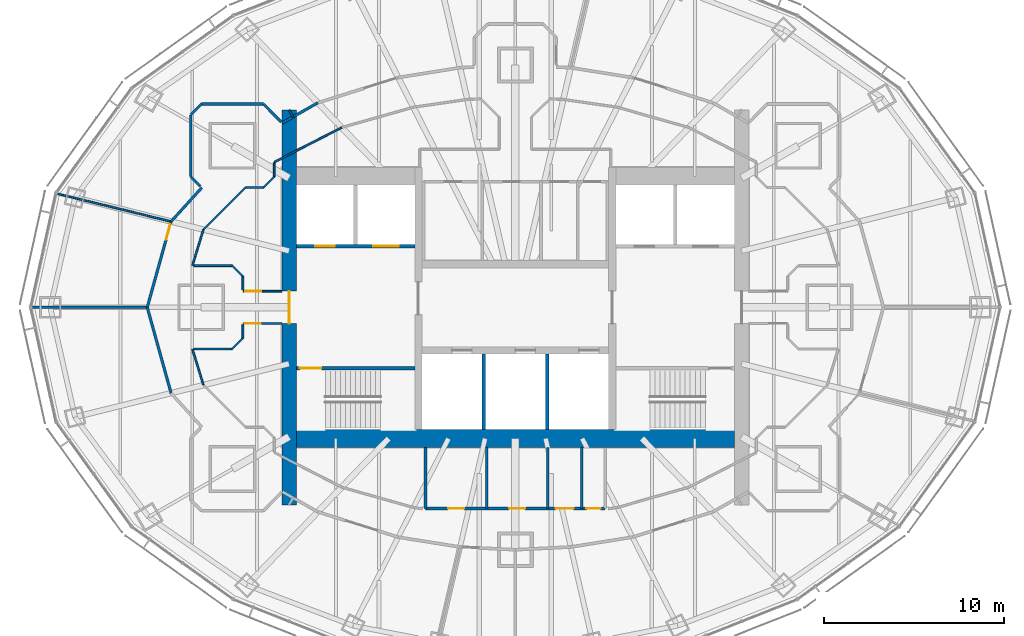
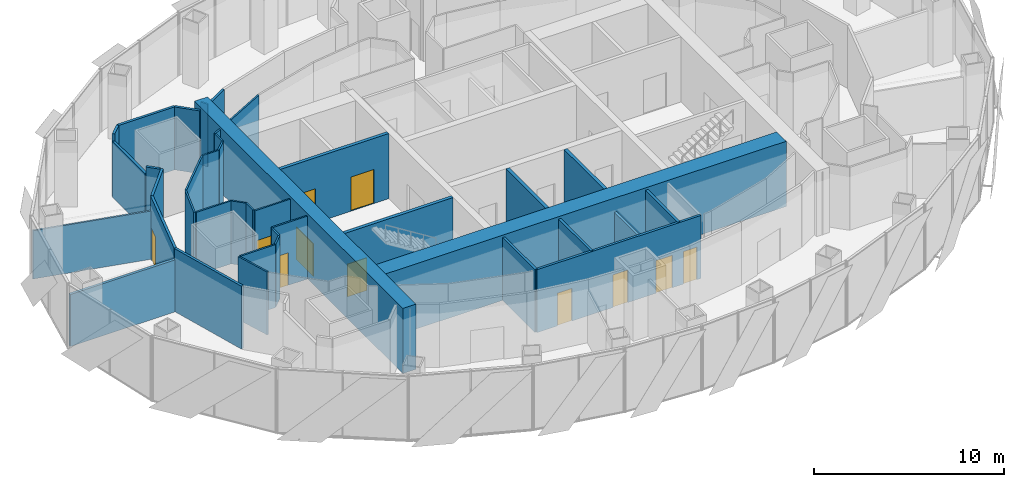
# One storey, part 12 of 18: 38 walls, 11 doors, 11 openings.
"""IFC4 building model written with IfcOpenShell, lengths in metres."""

from ifc_helpers import new_model, si_unit, direction, frame, frame_2d, origin, place, context, subcontext, project, spatial, rectangle, extrude, material, layer, layer_set, type_object, element, fill, save


model = new_model("IFC4")

# Units and contexts
model_context = context("Model", 3, precision=1e-05, world=origin(), true_north=direction((0.0, 1.0)))
body_context = subcontext(model_context, "Body", "Model", "MODEL_VIEW")
ifc_project = project(units=[si_unit("LENGTHUNIT", "METRE"), si_unit("AREAUNIT", "SQUARE_METRE"), si_unit("VOLUMEUNIT", "CUBIC_METRE"), si_unit("PLANEANGLEUNIT", "RADIAN"), si_unit("MASSUNIT", "GRAM", prefix="KILO")], contexts=[model_context])

# Site, building, storey
site_placement = place(None, origin())
site = spatial("IfcSite", under=ifc_project, at=site_placement, CompositionType="ELEMENT")
building_placement = place(site_placement, origin())
building = spatial("IfcBuilding", under=site, at=building_placement, Name="Lantaw Convention Tower", CompositionType="ELEMENT")
storey_placement = place(building_placement, frame((0.0, 0.0, 257.800048828125)))
storey = spatial("IfcBuildingStorey", under=building, at=storey_placement, Name="L60", CompositionType="ELEMENT", Elevation=257.800048828125)

# Wall
ifc_material_1 = material(Name="Concrete C60/75", Category="concrete")
ifc_layer_1 = layer(ifc_material_1, 1.0)
ifc_layer_set_1 = layer_set([ifc_layer_1], Name="Core wall 1000")
wall_type_1 = type_object("IfcWallType", Name="Core wall 1000", PredefinedType="SHEAR", material=ifc_layer_set_1)
wall_1_placement = place(storey_placement, frame((-12.199951171875, -7.300048828125, 0.0), z_axis=(0.0, 0.0, 1.0), x_axis=(1.0, 0.0, 0.0)))
element("IfcWall", 1, at=wall_1_placement, inside=storey, type_object=wall_type_1, Name="Core wall S", PredefinedType="SHEAR", context=body_context, shape_type="SweptSolid", body=[
    extrude(rectangle(XDim=24.39990234375, YDim=1.0, at=frame_2d((12.199951171875, 0.0))), origin(), (0.0, 0.0, 1.0), 4.199951171875),
])

# Wall, opening, door
ifc_layer_2 = layer(ifc_material_1, 0.199951171875)
ifc_layer_set_2 = layer_set([ifc_layer_2], Name="Core wall 200")
wall_type_2 = type_object("IfcWallType", Name="Core wall 200", PredefinedType="SHEAR", material=ifc_layer_set_2)
wall_2_placement = place(storey_placement, frame((-5.60009765625, -3.39990234375, 0.0), z_axis=(0.0, 0.0, 1.0), x_axis=(-1.0, 0.0, 0.0)))
wall_2 = element("IfcWall", 2, at=wall_2_placement, inside=storey, type_object=wall_type_2, Name="Core wall WS", PredefinedType="SHEAR", context=body_context, shape_type="SweptSolid", body=[
    extrude(rectangle(XDim=6.599853515625, YDim=0.199951171875, at=frame_2d((3.2998046875, 0.0))), origin(), (0.0, 0.0, 1.0), 4.199951171875),
])
opening_1_placement = place(wall_2_placement, frame((5.199951171875, 0.0, 0.0)))
opening_1 = element("IfcOpeningElement", 3, at=opening_1_placement, cuts=wall_2, Name="Opening L60.04", PredefinedType="OPENING", context=body_context, shape_type="SweptSolid", body=[
    extrude(rectangle(XDim=1.199951171875, YDim=2.10009765625, at=frame_2d((0.60009765625, 1.050048828125))), frame((0.0, 0.10986328125, 0.0), z_axis=(0.0, -1.0, 0.0), x_axis=(1.0, 0.0, 0.0)), (0.0, 0.0, 1.0), 0.219970703125),
])
ifc_material_2 = material(Name="Steel, fire rated", Category="steel")
door_type_1 = type_object("IfcDoorType", Name="Stair door FD90", OperationType="SINGLE_SWING_RIGHT", PredefinedType="DOOR", material=ifc_material_2)
door_1_placement = place(opening_1_placement, origin())
door_1 = element("IfcDoor", 4, at=door_1_placement, inside=storey, type_object=door_type_1, Name="Exit stair door", OperationType="SINGLE_SWING_RIGHT", OverallHeight=2.10009765625, OverallWidth=1.199951171875, PredefinedType="DOOR", context=body_context, shape_type="SweptSolid", body=[
    extrude(rectangle(XDim=1.199951171875, YDim=2.10009765625, at=frame_2d((0.60009765625, 1.050048828125))), frame((0.0, 0.02490234375, 0.0), z_axis=(0.0, -1.0, 0.0), x_axis=(1.0, 0.0, 0.0)), (0.0, 0.0, 1.0), 0.050048828125),
])
fill(opening_1, door_1)

ifc_layer_3 = layer(ifc_material_1, 0.800048828125)
ifc_layer_set_3 = layer_set([ifc_layer_3], Name="Core wall 800")
wall_type_3 = type_object("IfcWallType", Name="Core wall 800", PredefinedType="SHEAR", material=ifc_layer_set_3)
wall_3_placement = place(storey_placement, frame((-12.60009765625, 11.0, 0.0), z_axis=(0.0, 0.0, 1.0), x_axis=(0.0, -1.0, 0.0)))
wall_3 = element("IfcWall", 5, at=wall_3_placement, inside=storey, type_object=wall_type_3, Name="Core wall W", PredefinedType="SHEAR", context=body_context, shape_type="SweptSolid", body=[
    extrude(rectangle(XDim=22.0, YDim=0.800048828125, at=frame_2d((11.0, 0.0))), origin(), (0.0, 0.0, 1.0), 4.199951171875),
])
opening_2_placement = place(wall_3_placement, frame((10.10009765625, 0.0, 0.0)))
opening_2 = element("IfcOpeningElement", 6, at=opening_2_placement, cuts=wall_3, Name="Opening L60.06", PredefinedType="OPENING", context=body_context, shape_type="SweptSolid", body=[
    extrude(rectangle(XDim=1.800048828125, YDim=2.10009765625, at=frame_2d((0.89990234375, 1.050048828125))), frame((0.0, 0.409912109375, 0.0), z_axis=(0.0, -1.0, 0.0), x_axis=(1.0, 0.0, 0.0)), (0.0, 0.0, 1.0), 0.820068359375),
])
door_type_2 = type_object("IfcDoorType", Name="Lobby double door FD90", OperationType="DOUBLE_DOOR_DOUBLE_SWING", PredefinedType="DOOR", material=ifc_material_2)
door_2_placement = place(opening_2_placement, origin())
door_2 = element("IfcDoor", 7, at=door_2_placement, inside=storey, type_object=door_type_2, Name="Firefighting lobby door", OperationType="DOUBLE_DOOR_DOUBLE_SWING", OverallHeight=2.10009765625, OverallWidth=1.800048828125, PredefinedType="DOOR", context=body_context, shape_type="SweptSolid", body=[
    extrude(rectangle(XDim=1.800048828125, YDim=2.10009765625, at=frame_2d((0.89990234375, 1.050048828125))), frame((0.0, 0.02490234375, 0.0), z_axis=(0.0, -1.0, 0.0), x_axis=(1.0, 0.0, 0.0)), (0.0, 0.0, 1.0), 0.050048828125),
])
fill(opening_2, door_2)

ifc_material_3 = material(Name="Gypsum board on steel studs, fire rated", Category="steel")
ifc_layer_4 = layer(ifc_material_3, 0.14990234375)
ifc_layer_set_4 = layer_set([ifc_layer_4], Name="Corridor wall 150 EI 60")
wall_type_4 = type_object("IfcWallType", Name="Corridor wall 150 EI 60", PredefinedType="PARTITIONING", material=ifc_layer_set_4)
wall_4_placement = place(storey_placement, frame((-19.171875, 4.780029296875, 0.0), z_axis=(0.0, 0.0, 1.0), x_axis=(-0.26770731566, -0.963500281859, 0.0)))
wall_4 = element("IfcWall", 8, at=wall_4_placement, inside=storey, type_object=wall_type_4, Name="Corridor wall 150", PredefinedType="PARTITIONING", context=body_context, shape_type="SweptSolid", body=[
    extrude(rectangle(XDim=4.961181640625, YDim=0.14990234375, at=frame_2d((2.48046875, 0.0))), origin(), (0.0, 0.0, 1.0), 4.050048828125),
])
opening_3_placement = place(wall_4_placement, frame((0.14990234375, 0.0, 0.0)))
opening_3 = element("IfcOpeningElement", 9, at=opening_3_placement, cuts=wall_4, Name="Opening L60.29", PredefinedType="OPENING", context=body_context, shape_type="SweptSolid", body=[
    extrude(rectangle(XDim=0.89990234375, YDim=2.10009765625, at=frame_2d((0.449951171875, 1.050048828125))), frame((0.0, 0.0849609375, 0.0), z_axis=(0.0, -1.0, 0.0), x_axis=(1.0, 0.0, 0.0)), (0.0, 0.0, 1.0), 0.169921875),
])
door_type_3 = type_object("IfcDoorType", Name="Office door 900 FD30", OperationType="SINGLE_SWING_LEFT", PredefinedType="DOOR", material=ifc_material_2)
door_3_placement = place(opening_3_placement, origin())
door_3 = element("IfcDoor", 10, at=door_3_placement, inside=storey, type_object=door_type_3, Name="Meeting room door", OperationType="SINGLE_SWING_LEFT", OverallHeight=2.10009765625, OverallWidth=0.89990234375, PredefinedType="DOOR", context=body_context, shape_type="SweptSolid", body=[
    extrude(rectangle(XDim=0.89990234375, YDim=2.10009765625, at=frame_2d((0.449951171875, 1.050048828125))), frame((0.0, 0.02490234375, 0.0), z_axis=(0.0, -1.0, 0.0), x_axis=(1.0, 0.0, 0.0)), (0.0, 0.0, 1.0), 0.050048828125),
])
fill(opening_3, door_3)

# Walls
wall_5_placement = place(storey_placement, frame((-20.5, 0.0, 0.0), z_axis=(0.0, 0.0, 1.0), x_axis=(0.26770731566, -0.963500281859, 0.0)))
element("IfcWall", 11, at=wall_5_placement, inside=storey, type_object=wall_type_4, Name="Corridor wall 150", PredefinedType="PARTITIONING", context=body_context, shape_type="SweptSolid", body=[
    extrude(rectangle(XDim=4.961181640625, YDim=0.14990234375, at=frame_2d((2.48046875, 0.0))), origin(), (0.0, 0.0, 1.0), 4.050048828125),
])
wall_6_placement = place(storey_placement, frame((-11.000732421875, 11.3916015625, 0.0), z_axis=(0.0, 0.0, 1.0), x_axis=(-0.869722107117, -0.493541747366, 0.0)))
element("IfcWall", 12, at=wall_6_placement, inside=storey, type_object=wall_type_4, Name="Corridor wall 150", PredefinedType="PARTITIONING", context=body_context, shape_type="SweptSolid", body=[
    extrude(rectangle(XDim=2.26953125, YDim=0.14990234375, at=frame_2d((1.134765625, 0.0))), origin(), (0.0, 0.0, 1.0), 4.050048828125),
])
wall_7_placement = place(storey_placement, frame((-17.462646484375, 6.6650390625, 0.0), z_axis=(0.0, 0.0, 1.0), x_axis=(-0.671721890643, -0.74080341632, 0.0)))
element("IfcWall", 13, at=wall_7_placement, inside=storey, type_object=wall_type_4, Name="Corridor wall 150", PredefinedType="PARTITIONING", context=body_context, shape_type="SweptSolid", body=[
    extrude(rectangle(XDim=2.54443359375, YDim=0.14990234375, at=frame_2d((1.272216796875, 0.0))), origin(), (0.0, 0.0, 1.0), 4.050048828125),
])
wall_8_placement = place(storey_placement, frame((-18.074951171875, 10.724609375, 0.0), z_axis=(0.0, 0.0, 1.0), x_axis=(0.707106781187, 0.707106781187, 0.0)))
element("IfcWall", 14, at=wall_8_placement, inside=storey, type_object=wall_type_4, Name="Corridor wall 150", PredefinedType="PARTITIONING", context=body_context, shape_type="SweptSolid", body=[
    extrude(rectangle(XDim=0.84912109375, YDim=0.14990234375, at=frame_2d((0.424560546875, 0.0))), origin(), (0.0, 0.0, 1.0), 4.050048828125),
])
wall_9_placement = place(storey_placement, frame((-17.474609375, 11.324951171875, 0.0), z_axis=(0.0, 0.0, 1.0), x_axis=(1.0, 0.0, 0.0)))
element("IfcWall", 15, at=wall_9_placement, inside=storey, type_object=wall_type_4, Name="Corridor wall 150", PredefinedType="PARTITIONING", context=body_context, shape_type="SweptSolid", body=[
    extrude(rectangle(XDim=3.44921875, YDim=0.14990234375, at=frame_2d((1.724609375, 0.0))), origin(), (0.0, 0.0, 1.0), 4.050048828125),
])
wall_10_placement = place(storey_placement, frame((-14.025390625, 11.324951171875, 0.0), z_axis=(0.0, 0.0, 1.0), x_axis=(0.701113567316, -0.713049623606, 0.0)))
element("IfcWall", 16, at=wall_10_placement, inside=storey, type_object=wall_type_4, Name="Corridor wall 150", PredefinedType="PARTITIONING", context=body_context, shape_type="SweptSolid", body=[
    extrude(rectangle(XDim=1.411376953125, YDim=0.14990234375, at=frame_2d((0.70556640625, 0.0))), origin(), (0.0, 0.0, 1.0), 4.050048828125),
])
wall_11_placement = place(storey_placement, frame((-17.537841796875, 6.73828125, 0.0), z_axis=(0.0, 0.0, 1.0), x_axis=(-0.707106781187, 0.707106781187, 0.0)))
element("IfcWall", 17, at=wall_11_placement, inside=storey, type_object=wall_type_4, Name="Corridor wall 150", PredefinedType="PARTITIONING", context=body_context, shape_type="SweptSolid", body=[
    extrude(rectangle(XDim=0.759521484375, YDim=0.14990234375, at=frame_2d((0.3798828125, 0.0))), origin(), (0.0, 0.0, 1.0), 4.050048828125),
])
wall_12_placement = place(storey_placement, frame((-18.074951171875, 7.275390625, 0.0), z_axis=(0.0, 0.0, 1.0), x_axis=(0.0, 1.0, 0.0)))
element("IfcWall", 18, at=wall_12_placement, inside=storey, type_object=wall_type_4, Name="Corridor wall 150", PredefinedType="PARTITIONING", context=body_context, shape_type="SweptSolid", body=[
    extrude(rectangle(XDim=3.44921875, YDim=0.14990234375, at=frame_2d((1.724609375, 0.0))), origin(), (0.0, 0.0, 1.0), 3.600341796875),
])
ifc_material_4 = material(Name="Gypsum board on steel studs, acoustic", Category="steel")
ifc_layer_5 = layer(ifc_material_4, 0.10009765625)
ifc_layer_set_5 = layer_set([ifc_layer_5], Name="Office partition 100")
wall_type_5 = type_object("IfcWallType", Name="Office partition 100", PredefinedType="PARTITIONING", material=ifc_layer_set_5)
wall_13_placement = place(storey_placement, frame((-25.54296875, 6.33544921875, 0.0), z_axis=(0.0, 0.0, 1.0), x_axis=(0.971467850621, -0.237171278215, 0.0)))
element("IfcWall", 19, at=wall_13_placement, inside=storey, type_object=wall_type_5, Name="Office partition 100", PredefinedType="PARTITIONING", context=body_context, shape_type="SweptSolid", body=[
    extrude(rectangle(XDim=6.55810546875, YDim=0.10009765625, at=frame_2d((3.279052734375, 0.0))), origin(), (0.0, 0.0, 1.0), 3.107666015625),
])
wall_14_placement = place(storey_placement, frame((-12.60009765625, 11.0, 0.0), z_axis=(0.0, 0.0, 1.0), x_axis=(0.493794495037, -0.869578631678, 0.0)))
element("IfcWall", 20, at=wall_14_placement, inside=storey, type_object=wall_type_5, Name="Office partition 100", PredefinedType="PARTITIONING", context=body_context, shape_type="SweptSolid", body=[
    extrude(rectangle(XDim=0.448974609375, YDim=0.10009765625, at=frame_2d((0.224609375, 0.0))), origin(), (0.0, 0.0, 1.0), 4.050048828125),
])
wall_15_placement = place(storey_placement, frame((-17.37158203125, -4.331298828125, 0.0), z_axis=(0.0, 0.0, 1.0), x_axis=(-0.293231279211, 0.956041535129, 0.0)))
element("IfcWall", 21, at=wall_15_placement, inside=storey, type_object=wall_type_5, Name="Office partition 100", PredefinedType="PARTITIONING", context=body_context, shape_type="SweptSolid", body=[
    extrude(rectangle(XDim=2.088134765625, YDim=0.10009765625, at=frame_2d((1.0439453125, 0.0))), origin(), (0.0, 0.0, 1.0), 4.050048828125),
])

# Wall, opening, door
wall_16_placement = place(storey_placement, frame((-15.1650390625, -0.89990234375, 0.0), z_axis=(0.0, 0.0, 1.0), x_axis=(1.0, 0.0, 0.0)))
wall_16 = element("IfcWall", 22, at=wall_16_placement, inside=storey, type_object=wall_type_5, Name="Office partition 100", PredefinedType="PARTITIONING", context=body_context, shape_type="SweptSolid", body=[
    extrude(rectangle(XDim=2.1650390625, YDim=0.10009765625, at=frame_2d((1.08251953125, 0.0))), origin(), (0.0, 0.0, 1.0), 4.050048828125),
])
opening_4_placement = place(wall_16_placement, frame((0.10009765625, 0.0, 0.0)))
opening_4 = element("IfcOpeningElement", 23, at=opening_4_placement, cuts=wall_16, Name="Opening L60.22", PredefinedType="OPENING", context=body_context, shape_type="SweptSolid", body=[
    extrude(rectangle(XDim=0.89990234375, YDim=2.10009765625, at=frame_2d((0.449951171875, 1.050048828125))), frame((0.0, 0.06005859375, 0.0), z_axis=(0.0, -1.0, 0.0), x_axis=(1.0, 0.0, 0.0)), (0.0, 0.0, 1.0), 0.1201171875),
])
ifc_material_5 = material(Name="Timber", Category="wood")
door_type_4 = type_object("IfcDoorType", Name="Office door 900", OperationType="SINGLE_SWING_LEFT", PredefinedType="DOOR", material=ifc_material_5)
door_4_placement = place(opening_4_placement, origin())
door_4 = element("IfcDoor", 24, at=door_4_placement, inside=storey, type_object=door_type_4, Name="Meeting room door", OperationType="SINGLE_SWING_LEFT", OverallHeight=2.10009765625, OverallWidth=0.89990234375, PredefinedType="DOOR", context=body_context, shape_type="SweptSolid", body=[
    extrude(rectangle(XDim=0.89990234375, YDim=2.10009765625, at=frame_2d((0.449951171875, 1.050048828125))), frame((0.0, 0.02490234375, 0.0), z_axis=(0.0, -1.0, 0.0), x_axis=(1.0, 0.0, 0.0)), (0.0, 0.0, 1.0), 0.050048828125),
])
fill(opening_4, door_4)

wall_17_placement = place(storey_placement, frame((-13.0, 0.89990234375, 0.0), z_axis=(0.0, 0.0, 1.0), x_axis=(-1.0, 0.0, 0.0)))
wall_17 = element("IfcWall", 25, at=wall_17_placement, inside=storey, type_object=wall_type_5, Name="Office partition 100", PredefinedType="PARTITIONING", context=body_context, shape_type="SweptSolid", body=[
    extrude(rectangle(XDim=2.1650390625, YDim=0.10009765625, at=frame_2d((1.08251953125, 0.0))), origin(), (0.0, 0.0, 1.0), 4.050048828125),
])
opening_5_placement = place(wall_17_placement, frame((1.14990234375, 0.0, 0.0)))
opening_5 = element("IfcOpeningElement", 26, at=opening_5_placement, cuts=wall_17, Name="Opening L60.25", PredefinedType="OPENING", context=body_context, shape_type="SweptSolid", body=[
    extrude(rectangle(XDim=0.89990234375, YDim=2.10009765625, at=frame_2d((0.449951171875, 1.050048828125))), frame((0.0, 0.06005859375, 0.0), z_axis=(0.0, -1.0, 0.0), x_axis=(1.0, 0.0, 0.0)), (0.0, 0.0, 1.0), 0.1201171875),
])
door_5_placement = place(opening_5_placement, origin())
door_5 = element("IfcDoor", 27, at=door_5_placement, inside=storey, type_object=door_type_4, Name="Meeting room door", OperationType="SINGLE_SWING_LEFT", OverallHeight=2.10009765625, OverallWidth=0.89990234375, PredefinedType="DOOR", context=body_context, shape_type="SweptSolid", body=[
    extrude(rectangle(XDim=0.89990234375, YDim=2.10009765625, at=frame_2d((0.449951171875, 1.050048828125))), frame((0.0, 0.02490234375, 0.0), z_axis=(0.0, -1.0, 0.0), x_axis=(1.0, 0.0, 0.0)), (0.0, 0.0, 1.0), 0.050048828125),
])
fill(opening_5, door_5)

# Walls
wall_18_placement = place(storey_placement, frame((-17.98388671875, 2.3349609375, 0.0), z_axis=(0.0, 0.0, 1.0), x_axis=(0.293231279211, 0.956041535129, 0.0)))
element("IfcWall", 28, at=wall_18_placement, inside=storey, type_object=wall_type_5, Name="Office partition 100", PredefinedType="PARTITIONING", context=body_context, shape_type="SweptSolid", body=[
    extrude(rectangle(XDim=2.088134765625, YDim=0.10009765625, at=frame_2d((1.0439453125, 0.0))), origin(), (0.0, 0.0, 1.0), 4.050048828125),
])
wall_19_placement = place(storey_placement, frame((-15.175048828125, -0.978271484375, 0.0), z_axis=(0.0, 0.0, 1.0), x_axis=(0.0, -1.0, 0.0)))
element("IfcWall", 29, at=wall_19_placement, inside=storey, type_object=wall_type_5, Name="Office partition 100", PredefinedType="PARTITIONING", context=body_context, shape_type="SweptSolid", body=[
    extrude(rectangle(XDim=0.746337890625, YDim=0.10009765625, at=frame_2d((0.373046875, 0.0))), origin(), (0.0, 0.0, 1.0), 4.050048828125),
])
wall_20_placement = place(storey_placement, frame((-15.175048828125, -1.724609375, 0.0), z_axis=(0.0, 0.0, 1.0), x_axis=(-0.707106781187, -0.707106781187, 0.0)))
element("IfcWall", 30, at=wall_20_placement, inside=storey, type_object=wall_type_5, Name="Office partition 100", PredefinedType="PARTITIONING", context=body_context, shape_type="SweptSolid", body=[
    extrude(rectangle(XDim=0.84912109375, YDim=0.10009765625, at=frame_2d((0.424560546875, 0.0))), origin(), (0.0, 0.0, 1.0), 4.050048828125),
])
for number, where, z_axis, x_axis, name in (
    (31, (-15.775390625, -2.324951171875, 0.0), (0.0, 0.0, 1.0), (-1.0, 0.0, 0.0), "Office partition 100"),
    (32, (-17.903076171875, 2.324951171875, 0.0), (0.0, 0.0, 1.0), (1.0, 0.0, 0.0), "Office partition 100"),
):
    element("IfcWall", number, at=place(storey_placement, frame(where, z_axis=z_axis, x_axis=x_axis)), inside=storey, type_object=wall_type_5, Name=name, PredefinedType="PARTITIONING", context=body_context, shape_type="SweptSolid", body=[
        extrude(rectangle(XDim=2.127685546875, YDim=0.10009765625, at=frame_2d((1.06396484375, 0.0))), origin(), (0.0, 0.0, 1.0), 4.050048828125),
    ])
wall_21_placement = place(storey_placement, frame((-15.775390625, 2.324951171875, 0.0), z_axis=(0.0, 0.0, 1.0), x_axis=(0.707106781187, -0.707106781187, 0.0)))
element("IfcWall", 33, at=wall_21_placement, inside=storey, type_object=wall_type_5, Name="Office partition 100", PredefinedType="PARTITIONING", context=body_context, shape_type="SweptSolid", body=[
    extrude(rectangle(XDim=0.84912109375, YDim=0.10009765625, at=frame_2d((0.424560546875, 0.0))), origin(), (0.0, 0.0, 1.0), 4.050048828125),
])
wall_22_placement = place(storey_placement, frame((-15.175048828125, 1.724609375, 0.0), z_axis=(0.0, 0.0, 1.0), x_axis=(0.0, -1.0, 0.0)))
element("IfcWall", 34, at=wall_22_placement, inside=storey, type_object=wall_type_5, Name="Office partition 100", PredefinedType="PARTITIONING", context=body_context, shape_type="SweptSolid", body=[
    extrude(rectangle(XDim=0.746337890625, YDim=0.10009765625, at=frame_2d((0.373046875, 0.0))), origin(), (0.0, 0.0, 1.0), 4.050048828125),
])
wall_23_placement = place(storey_placement, frame((-17.37158203125, 4.331298828125, 0.0), z_axis=(0.0, 0.0, 1.0), x_axis=(0.707587114823, 0.70662612104, 0.0)))
element("IfcWall", 35, at=wall_23_placement, inside=storey, type_object=wall_type_5, Name="Office partition 100", PredefinedType="PARTITIONING", context=body_context, shape_type="SweptSolid", body=[
    extrude(rectangle(XDim=3.302734375, YDim=0.10009765625, at=frame_2d((1.6513671875, 0.0))), origin(), (0.0, 0.0, 1.0), 4.050048828125),
])
wall_24_placement = place(storey_placement, frame((-13.4150390625, 8.091796875, 0.0), z_axis=(0.0, 0.0, 1.0), x_axis=(0.889620520549, 0.45670048108, 0.0)))
element("IfcWall", 36, at=wall_24_placement, inside=storey, type_object=wall_type_5, Name="Office partition 100", PredefinedType="PARTITIONING", context=body_context, shape_type="SweptSolid", body=[
    extrude(rectangle(XDim=4.209228515625, YDim=0.10009765625, at=frame_2d((2.1044921875, 0.0))), origin(), (0.0, 0.0, 1.0), 4.050048828125),
])
wall_25_placement = place(storey_placement, frame((-13.425048828125, 8.045654296875, 0.0), z_axis=(0.0, 0.0, 1.0), x_axis=(0.0, -1.0, 0.0)))
element("IfcWall", 37, at=wall_25_placement, inside=storey, type_object=wall_type_5, Name="Office partition 100", PredefinedType="PARTITIONING", context=body_context, shape_type="SweptSolid", body=[
    extrude(rectangle(XDim=0.770263671875, YDim=0.10009765625, at=frame_2d((0.38525390625, 0.0))), origin(), (0.0, 0.0, 1.0), 4.050048828125),
])
wall_26_placement = place(storey_placement, frame((-13.425048828125, 7.275390625, 0.0), z_axis=(0.0, 0.0, 1.0), x_axis=(-0.707106781187, -0.707106781187, 0.0)))
element("IfcWall", 38, at=wall_26_placement, inside=storey, type_object=wall_type_5, Name="Office partition 100", PredefinedType="PARTITIONING", context=body_context, shape_type="SweptSolid", body=[
    extrude(rectangle(XDim=0.84912109375, YDim=0.10009765625, at=frame_2d((0.424560546875, 0.0))), origin(), (0.0, 0.0, 1.0), 4.050048828125),
])
wall_27_placement = place(storey_placement, frame((-14.025390625, 6.675048828125, 0.0), z_axis=(0.0, 0.0, 1.0), x_axis=(-1.0, 0.0, 0.0)))
element("IfcWall", 39, at=wall_27_placement, inside=storey, type_object=wall_type_5, Name="Office partition 100", PredefinedType="PARTITIONING", context=body_context, shape_type="SweptSolid", body=[
    extrude(rectangle(XDim=0.976806640625, YDim=0.10009765625, at=frame_2d((0.48828125, 0.0))), origin(), (0.0, 0.0, 1.0), 4.050048828125),
])

# Wall, openings, doors
ifc_material_6 = material(Name="Concrete blockwork, fire rated", Category="masonry")
ifc_layer_6 = layer(ifc_material_6, 0.199951171875)
ifc_layer_set_6 = layer_set([ifc_layer_6], Name="Shaft wall 200")
wall_type_6 = type_object("IfcWallType", Name="Shaft wall 200", PredefinedType="SOLIDWALL", material=ifc_layer_set_6)
wall_28_placement = place(storey_placement, frame((-12.199951171875, 3.39990234375, 0.0), z_axis=(0.0, 0.0, 1.0), x_axis=(1.0, 0.0, 0.0)))
wall_28 = element("IfcWall", 40, at=wall_28_placement, inside=storey, type_object=wall_type_6, Name="Shaft wall WN", PredefinedType="SOLIDWALL", context=body_context, shape_type="SweptSolid", body=[
    extrude(rectangle(XDim=6.599853515625, YDim=0.199951171875, at=frame_2d((3.2998046875, 0.0))), origin(), (0.0, 0.0, 1.0), 4.199951171875),
])
opening_6_placement = place(wall_28_placement, frame((1.050048828125, 0.0, 0.0)))
opening_6 = element("IfcOpeningElement", 41, at=opening_6_placement, cuts=wall_28, Name="Opening L60.10", PredefinedType="OPENING", context=body_context, shape_type="SweptSolid", body=[
    extrude(rectangle(XDim=1.10009765625, YDim=2.199951171875, at=frame_2d((0.550048828125, 1.10009765625))), frame((0.0, 0.10986328125, 0.0), z_axis=(0.0, -1.0, 0.0), x_axis=(1.0, 0.0, 0.0)), (0.0, 0.0, 1.0), 0.219970703125),
])
opening_7_placement = place(wall_28_placement, frame((4.300048828125, 0.0, 0.0)))
opening_7 = element("IfcOpeningElement", 42, at=opening_7_placement, cuts=wall_28, Name="Opening L60.11", PredefinedType="OPENING", context=body_context, shape_type="SweptSolid", body=[
    extrude(rectangle(XDim=1.39990234375, YDim=2.199951171875, at=frame_2d((0.699951171875, 1.10009765625))), frame((0.0, 0.10986328125, 0.0), z_axis=(0.0, -1.0, 0.0), x_axis=(1.0, 0.0, 0.0)), (0.0, 0.0, 1.0), 0.219970703125),
])
ifc_material_7 = material(Name="Stainless steel", Category="steel")
door_type_5 = type_object("IfcDoorType", Name="Lift landing door 1100", OperationType="DOUBLE_DOOR_SLIDING", PredefinedType="DOOR", material=ifc_material_7)
door_6_placement = place(opening_6_placement, origin())
door_6 = element("IfcDoor", 43, at=door_6_placement, inside=storey, type_object=door_type_5, Name="Lift landing door FF1", OperationType="DOUBLE_DOOR_SLIDING", OverallHeight=2.199951171875, OverallWidth=1.10009765625, PredefinedType="DOOR", context=body_context, shape_type="SweptSolid", body=[
    extrude(rectangle(XDim=1.10009765625, YDim=2.199951171875, at=frame_2d((0.550048828125, 1.10009765625))), frame((0.0, 0.02490234375, 0.0), z_axis=(0.0, -1.0, 0.0), x_axis=(1.0, 0.0, 0.0)), (0.0, 0.0, 1.0), 0.050048828125),
])
fill(opening_6, door_6)
door_type_6 = type_object("IfcDoorType", Name="Lift landing door 1400", OperationType="DOUBLE_DOOR_SLIDING", PredefinedType="DOOR", material=ifc_material_7)
door_7_placement = place(opening_7_placement, origin())
door_7 = element("IfcDoor", 44, at=door_7_placement, inside=storey, type_object=door_type_6, Name="Lift landing door SV1", OperationType="DOUBLE_DOOR_SLIDING", OverallHeight=2.199951171875, OverallWidth=1.39990234375, PredefinedType="DOOR", context=body_context, shape_type="SweptSolid", body=[
    extrude(rectangle(XDim=1.39990234375, YDim=2.199951171875, at=frame_2d((0.699951171875, 1.10009765625))), frame((0.0, 0.02490234375, 0.0), z_axis=(0.0, -1.0, 0.0), x_axis=(1.0, 0.0, 0.0)), (0.0, 0.0, 1.0), 0.050048828125),
])
fill(opening_7, door_7)

# Walls
ifc_layer_7 = layer(ifc_material_6, 0.199951171875)
ifc_layer_set_7 = layer_set([ifc_layer_7], Name="Shaft wall 200 load-bearing")
wall_type_7 = type_object("IfcWallType", Name="Shaft wall 200 load-bearing", PredefinedType="SOLIDWALL", material=ifc_layer_set_7)
for number, where, z_axis, x_axis, name in (
    (45, (-1.7666015625, -2.60009765625, 0.0), (0.0, 0.0, 1.0), (0.0, -1.0, 0.0), "Shaft wall DS1"),
    (46, (1.7666015625, -2.60009765625, 0.0), (0.0, 0.0, 1.0), (0.0, -1.0, 0.0), "Shaft wall DS2"),
):
    element("IfcWall", number, at=place(storey_placement, frame(where, z_axis=z_axis, x_axis=x_axis)), inside=storey, type_object=wall_type_7, Name=name, PredefinedType="SOLIDWALL", context=body_context, shape_type="SweptSolid", body=[
        extrude(rectangle(XDim=4.199951171875, YDim=0.199951171875, at=frame_2d((2.10009765625, 0.0))), origin(), (0.0, 0.0, 1.0), 4.199951171875),
    ])
ifc_layer_8 = layer(ifc_material_3, 0.14990234375)
ifc_layer_set_8 = layer_set([ifc_layer_8], Name="Tenant separation wall 150 EI 60")
wall_type_8 = type_object("IfcWallType", Name="Tenant separation wall 150 EI 60", PredefinedType="PARTITIONING", material=ifc_layer_set_8)
wall_29_placement = place(storey_placement, frame((-26.944091796875, 0.0, 0.0), z_axis=(0.0, 0.0, 1.0), x_axis=(1.0, 0.0, 0.0)))
element("IfcWall", 47, at=wall_29_placement, inside=storey, type_object=wall_type_8, Name="Tenant separation wall 150", PredefinedType="PARTITIONING", context=body_context, shape_type="SweptSolid", body=[
    extrude(rectangle(XDim=6.444091796875, YDim=0.14990234375, at=frame_2d((3.22216796875, 0.0))), origin(), (0.0, 0.0, 1.0), 3.348876953125),
])

# Wall, openings, doors
ifc_material_8 = material(Name="Concrete blockwork", Category="masonry")
ifc_layer_9 = layer(ifc_material_8, 0.14990234375)
ifc_layer_set_9 = layer_set([ifc_layer_9], Name="WC wall 150")
wall_type_9 = type_object("IfcWallType", Name="WC wall 150", PredefinedType="SOLIDWALL", material=ifc_layer_set_9)
wall_30_placement = place(storey_placement, frame((-5.0, -11.199951171875, 0.0), z_axis=(0.0, 0.0, 1.0), x_axis=(1.0, 0.0, 0.0)))
wall_30 = element("IfcWall", 48, at=wall_30_placement, inside=storey, type_object=wall_type_9, Name="WC wall 150", PredefinedType="SOLIDWALL", context=body_context, shape_type="SweptSolid", body=[
    extrude(rectangle(XDim=10.0, YDim=0.14990234375, at=frame_2d((5.0, 0.0))), origin(), (0.0, 0.0, 1.0), 4.050048828125),
])
opening_8_placement = place(wall_30_placement, frame((1.25, 0.0, 0.0)))
opening_8 = element("IfcOpeningElement", 49, at=opening_8_placement, cuts=wall_30, Name="Opening L60.18", PredefinedType="OPENING", context=body_context, shape_type="SweptSolid", body=[
    extrude(rectangle(XDim=0.89990234375, YDim=2.10009765625, at=frame_2d((0.449951171875, 1.050048828125))), frame((0.0, 0.0849609375, 0.0), z_axis=(0.0, -1.0, 0.0), x_axis=(1.0, 0.0, 0.0)), (0.0, 0.0, 1.0), 0.169921875),
])
opening_9_placement = place(wall_30_placement, frame((4.64990234375, 0.0, 0.0)))
opening_9 = element("IfcOpeningElement", 50, at=opening_9_placement, cuts=wall_30, Name="Opening L60.19", PredefinedType="OPENING", context=body_context, shape_type="SweptSolid", body=[
    extrude(rectangle(XDim=0.89990234375, YDim=2.10009765625, at=frame_2d((0.449951171875, 1.050048828125))), frame((0.0, 0.0849609375, 0.0), z_axis=(0.0, -1.0, 0.0), x_axis=(1.0, 0.0, 0.0)), (0.0, 0.0, 1.0), 0.169921875),
])
opening_10_placement = place(wall_30_placement, frame((7.25, 0.0, 0.0)))
opening_10 = element("IfcOpeningElement", 51, at=opening_10_placement, cuts=wall_30, Name="Opening L60.20", PredefinedType="OPENING", context=body_context, shape_type="SweptSolid", body=[
    extrude(rectangle(XDim=1.0, YDim=2.10009765625, at=frame_2d((0.5, 1.050048828125))), frame((0.0, 0.0849609375, 0.0), z_axis=(0.0, -1.0, 0.0), x_axis=(1.0, 0.0, 0.0)), (0.0, 0.0, 1.0), 0.169921875),
])
opening_11_placement = place(wall_30_placement, frame((8.949951171875, 0.0, 0.0)))
opening_11 = element("IfcOpeningElement", 52, at=opening_11_placement, cuts=wall_30, Name="Opening L60.21", PredefinedType="OPENING", context=body_context, shape_type="SweptSolid", body=[
    extrude(rectangle(XDim=0.800048828125, YDim=2.10009765625, at=frame_2d((0.39990234375, 1.050048828125))), frame((0.0, 0.0849609375, 0.0), z_axis=(0.0, -1.0, 0.0), x_axis=(1.0, 0.0, 0.0)), (0.0, 0.0, 1.0), 0.169921875),
])
door_type_7 = type_object("IfcDoorType", Name="Accessible WC door 1000", OperationType="SINGLE_SWING_LEFT", PredefinedType="DOOR", material=ifc_material_5)
door_8_placement = place(opening_10_placement, origin())
door_8 = element("IfcDoor", 53, at=door_8_placement, inside=storey, type_object=door_type_7, Name="Accessible WC door", OperationType="SINGLE_SWING_LEFT", OverallHeight=2.10009765625, OverallWidth=1.0, PredefinedType="DOOR", context=body_context, shape_type="SweptSolid", body=[
    extrude(rectangle(XDim=1.0, YDim=2.10009765625, at=frame_2d((0.5, 1.050048828125))), frame((0.0, 0.02490234375, 0.0), z_axis=(0.0, -1.0, 0.0), x_axis=(1.0, 0.0, 0.0)), (0.0, 0.0, 1.0), 0.050048828125),
])
fill(opening_10, door_8)
door_type_8 = type_object("IfcDoorType", Name="WC door 800", OperationType="SINGLE_SWING_LEFT", PredefinedType="DOOR", material=ifc_material_5)
door_9_placement = place(opening_11_placement, origin())
door_9 = element("IfcDoor", 54, at=door_9_placement, inside=storey, type_object=door_type_8, Name="Pantry door", OperationType="SINGLE_SWING_LEFT", OverallHeight=2.10009765625, OverallWidth=0.800048828125, PredefinedType="DOOR", context=body_context, shape_type="SweptSolid", body=[
    extrude(rectangle(XDim=0.800048828125, YDim=2.10009765625, at=frame_2d((0.39990234375, 1.050048828125))), frame((0.0, 0.02490234375, 0.0), z_axis=(0.0, -1.0, 0.0), x_axis=(1.0, 0.0, 0.0)), (0.0, 0.0, 1.0), 0.050048828125),
])
fill(opening_11, door_9)
door_type_9 = type_object("IfcDoorType", Name="WC door 900", OperationType="SINGLE_SWING_LEFT", PredefinedType="DOOR", material=ifc_material_5)
door_10_placement = place(opening_8_placement, origin())
door_10 = element("IfcDoor", 55, at=door_10_placement, inside=storey, type_object=door_type_9, Name="Male WC door", OperationType="SINGLE_SWING_LEFT", OverallHeight=2.10009765625, OverallWidth=0.89990234375, PredefinedType="DOOR", context=body_context, shape_type="SweptSolid", body=[
    extrude(rectangle(XDim=0.89990234375, YDim=2.10009765625, at=frame_2d((0.449951171875, 1.050048828125))), frame((0.0, 0.02490234375, 0.0), z_axis=(0.0, -1.0, 0.0), x_axis=(1.0, 0.0, 0.0)), (0.0, 0.0, 1.0), 0.050048828125),
])
fill(opening_8, door_10)
door_11_placement = place(opening_9_placement, origin())
door_11 = element("IfcDoor", 56, at=door_11_placement, inside=storey, type_object=door_type_9, Name="Female WC door", OperationType="SINGLE_SWING_LEFT", OverallHeight=2.10009765625, OverallWidth=0.89990234375, PredefinedType="DOOR", context=body_context, shape_type="SweptSolid", body=[
    extrude(rectangle(XDim=0.89990234375, YDim=2.10009765625, at=frame_2d((0.449951171875, 1.050048828125))), frame((0.0, 0.02490234375, 0.0), z_axis=(0.0, -1.0, 0.0), x_axis=(1.0, 0.0, 0.0)), (0.0, 0.0, 1.0), 0.050048828125),
])
fill(opening_9, door_11)

# Walls
for number, where, z_axis, x_axis, name in (
    (57, (-5.0, -7.800048828125, 0.0), (0.0, 0.0, 1.0), (0.0, -1.0, 0.0), "WC wall 150"),
    (58, (-1.60009765625, -7.800048828125, 0.0), (0.0, 0.0, 1.0), (0.0, -1.0, 0.0), "WC wall 150"),
):
    element("IfcWall", number, at=place(storey_placement, frame(where, z_axis=z_axis, x_axis=x_axis)), inside=storey, type_object=wall_type_9, Name=name, PredefinedType="SOLIDWALL", context=body_context, shape_type="SweptSolid", body=[
        extrude(rectangle(XDim=3.39990234375, YDim=0.14990234375, at=frame_2d((1.699951171875, 0.0))), origin(), (0.0, 0.0, 1.0), 4.050048828125),
    ])
wall_31_placement = place(storey_placement, frame((1.800048828125, -7.800048828125, 0.0), z_axis=(0.0, 0.0, 1.0), x_axis=(0.0, -1.0, 0.0)))
element("IfcWall", 59, at=wall_31_placement, inside=storey, type_object=wall_type_9, Name="WC wall 150", PredefinedType="SOLIDWALL", context=body_context, shape_type="SweptSolid", body=[
    extrude(rectangle(XDim=3.39990234375, YDim=0.14990234375, at=frame_2d((1.699951171875, 0.0))), origin(), (0.0, 0.0, 1.0), 3.29296875),
])
wall_32_placement = place(storey_placement, frame((3.699951171875, -7.800048828125, 0.0), z_axis=(0.0, 0.0, 1.0), x_axis=(0.0, -1.0, 0.0)))
element("IfcWall", 60, at=wall_32_placement, inside=storey, type_object=wall_type_9, Name="WC wall 150", PredefinedType="SOLIDWALL", context=body_context, shape_type="SweptSolid", body=[
    extrude(rectangle(XDim=3.39990234375, YDim=0.14990234375, at=frame_2d((1.699951171875, 0.0))), origin(), (0.0, 0.0, 1.0), 4.050048828125),
])

save(model, "model.ifc")
